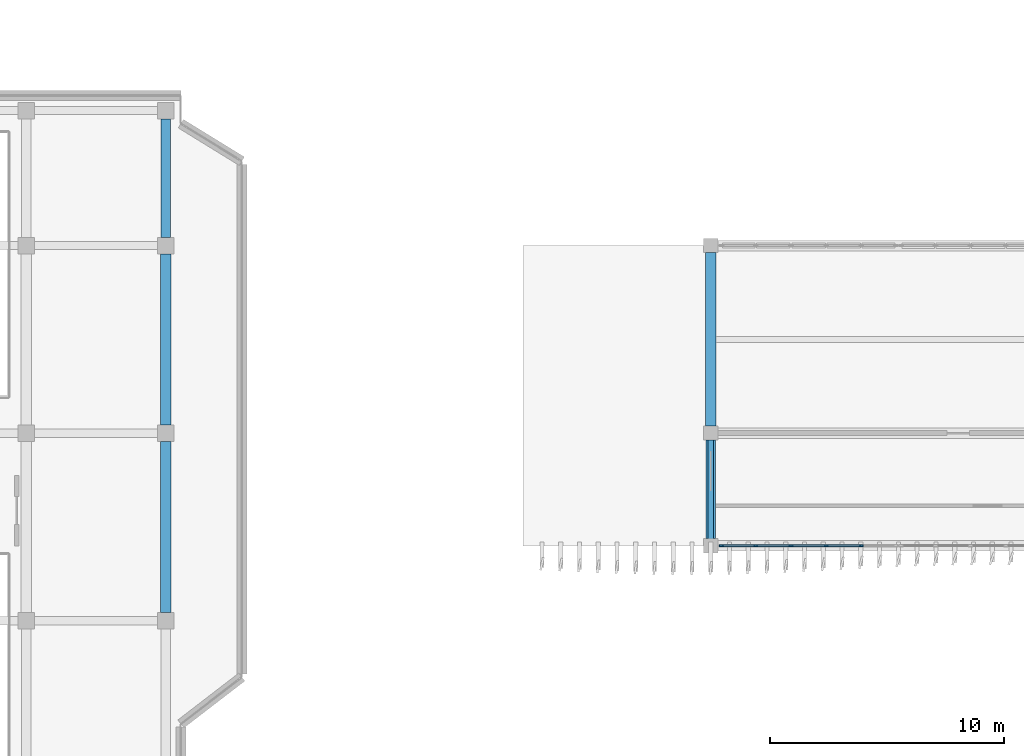
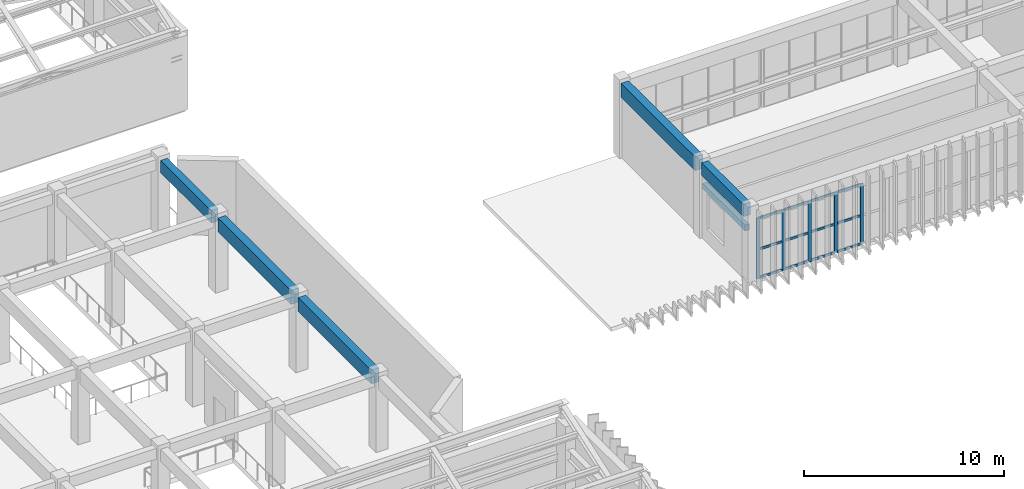
# One storey, part 21 of 76: 17 members, 6 beams, 1 element without a shape of its own.
"""IFC4 building model written with IfcOpenShell, lengths in metres."""

from ifc_helpers import new_model, si_unit, direction, frame, origin, origin_2d, place, context, subcontext, project, spatial, rectangle, extrude, material, layer, layer_set, material_profile, profile_set, type_object, element, aggregate, save


model = new_model("IFC4")

# Units and contexts
model_context = context("Model", 3, precision=1e-05, world=origin(), true_north=direction((0.0, 1.0)))
body_context = subcontext(model_context, "Body", "Model", "MODEL_VIEW")
ifc_project = project(units=[si_unit("LENGTHUNIT", "METRE"), si_unit("AREAUNIT", "SQUARE_METRE"), si_unit("VOLUMEUNIT", "CUBIC_METRE"), si_unit("PLANEANGLEUNIT", "RADIAN"), si_unit("MASSUNIT", "GRAM", prefix="KILO")], contexts=[model_context])

# Site, building, storey
site_placement = place(None, origin())
site = spatial("IfcSite", under=ifc_project, at=site_placement, CompositionType="ELEMENT")
building_placement = place(site_placement, origin())
building = spatial("IfcBuilding", under=site, at=building_placement, Name="Cinchona Park Media Centre", CompositionType="ELEMENT")
storey_placement = place(building_placement, frame((0.0, 0.0, 15.60009765625)))
storey = spatial("IfcBuildingStorey", under=building, at=storey_placement, Name="L03", CompositionType="ELEMENT", Elevation=15.60009765625)

# Beams
ifc_material_1 = material(Name="Concrete C35/45", Category="concrete")
ifc_material_profile_1 = material_profile(ifc_material_1, rectangle(XDim=0.39990234375, YDim=0.75, at=origin_2d()), Name="RB 400X750")
ifc_profile_set_1 = profile_set([ifc_material_profile_1], Name="Concrete C35/45")
beam_type_1 = type_object("IfcBeamType", Name="BEAM-B01-RB400X750", PredefinedType="BEAM", material=ifc_profile_set_1)
beam_1_placement = place(storey_placement, frame((39.56005859375, 87.949951171875, 4.1748046875), z_axis=(0.0, 1.0, 0.0), x_axis=(-1.0, 0.0, 0.0)))
element("IfcBeam", 1, at=beam_1_placement, inside=storey, type_object=beam_type_1, Name="Girder B01 L03", PredefinedType="BEAM", context=body_context, shape_type="SweptSolid", body=[
    extrude(rectangle(XDim=0.39990234375, YDim=0.75, at=origin_2d()), origin(), (0.0, 0.0, 1.0), 5.06005859375),
])
beam_2_placement = place(storey_placement, frame((62.800048828125, 75.10009765625, 4.204833984375), z_axis=(0.0, 1.0, 0.0), x_axis=(-1.0, 0.0, 0.0)))
element("IfcBeam", 2, at=beam_2_placement, inside=storey, type_object=beam_type_1, Name="Girder B01 L03", PredefinedType="BEAM", context=body_context, shape_type="SweptSolid", body=[
    extrude(rectangle(XDim=0.39990234375, YDim=0.75, at=origin_2d()), origin(), (0.0, 0.0, 1.0), 4.199951171875),
])
ifc_material_2 = material(Name="Concrete C35/45", Category="concrete")
ifc_material_profile_2 = material_profile(ifc_material_2, rectangle(XDim=0.449951171875, YDim=0.85009765625, at=origin_2d()), Name="RB 450X850")
ifc_profile_set_2 = profile_set([ifc_material_profile_2], Name="Concrete C35/45")
beam_type_2 = type_object("IfcBeamType", Name="BEAM-B02-RB450X850", PredefinedType="BEAM", material=ifc_profile_set_2)
for number, where, z_axis, x_axis, name in (
    (3, (39.56005859375, 71.949951171875, 4.125), (0.0, 1.0, 0.0), (-1.0, 0.0, 0.0), "Girder B02 L03"),
    (4, (39.56005859375, 79.949951171875, 4.125), (0.0, 1.0, 0.0), (-1.0, 0.0, 0.0), "Girder B02 L03"),
):
    element("IfcBeam", number, at=place(storey_placement, frame(where, z_axis=z_axis, x_axis=x_axis)), inside=storey, type_object=beam_type_2, Name=name, PredefinedType="BEAM", context=body_context, shape_type="SweptSolid", body=[
        extrude(rectangle(XDim=0.449951171875, YDim=0.85009765625, at=origin_2d()), origin(), (0.0, 0.0, 1.0), 7.300048828125),
    ])
beam_3_placement = place(storey_placement, frame((62.800048828125, 79.89990234375, 4.15478515625), z_axis=(0.0, 1.0, 0.0), x_axis=(-1.0, 0.0, 0.0)))
element("IfcBeam", 5, at=beam_3_placement, inside=storey, type_object=beam_type_2, Name="Girder B02 L03", PredefinedType="BEAM", context=body_context, shape_type="SweptSolid", body=[
    extrude(rectangle(XDim=0.449951171875, YDim=0.85009765625, at=origin_2d()), origin(), (0.0, 0.0, 1.0), 7.400146484375),
])
ifc_material_3 = material(Name="Concrete C35/45", Category="concrete")
ifc_material_profile_3 = material_profile(ifc_material_3, rectangle(XDim=0.25, YDim=0.35009765625, at=origin_2d()), Name="RL 250X350")
ifc_profile_set_3 = profile_set([ifc_material_profile_3], Name="Concrete C35/45")
beam_type_3 = type_object("IfcBeamType", Name="BEAM-LN01-RL250X350", PredefinedType="LINTEL", material=ifc_profile_set_3)
beam_4_placement = place(storey_placement, frame((62.800048828125, 75.080078125, 3.125), z_axis=(0.0, 1.0, 0.0), x_axis=(-1.0, 0.0, 0.0)))
element("IfcBeam", 6, at=beam_4_placement, inside=storey, type_object=beam_type_3, Name="Window Lintel LN01", PredefinedType="LINTEL", context=body_context, shape_type="SweptSolid", body=[
    extrude(rectangle(XDim=0.25, YDim=0.35009765625, at=origin_2d()), origin(), (0.0, 0.0, 1.0), 4.239990234375),
])

# Curtain wall, members
ifc_material_4 = material(Name="Aluminium Curtain Wall Framing", Category="aluminium")
ifc_layer = layer(ifc_material_4, 0.300048828125)
ifc_layer_set = layer_set([ifc_layer], Name="Aluminium Curtain Wall Framing")
curtain_wall_type = type_object("IfcCurtainWallType", Name="CW-CW09", PredefinedType="USERDEFINED", material=ifc_layer_set)
curtain_wall_placement = place(storey_placement, origin())
curtain_wall = element("IfcCurtainWall", 7, at=curtain_wall_placement, inside=storey, type_object=curtain_wall_type, Name="Curtain Wall CW09 L03", ObjectType="UNITISED CURTAIN WALL", PredefinedType="USERDEFINED")
ifc_material_5 = material(Name="Anodised Aluminium Alloy 6063-T6", Category="aluminium")
ifc_material_profile_4 = material_profile(ifc_material_5, rectangle(XDim=0.070068359375, YDim=0.179931640625, at=origin_2d()), Name="MUL-70X180")
ifc_profile_set_4 = profile_set([ifc_material_profile_4], Name="Anodised Aluminium Alloy 6063-T6")
member_type_1 = type_object("IfcMemberType", Name="MULLION-MUL02", PredefinedType="MULLION", material=ifc_profile_set_4)
member_1_placement = place(storey_placement, frame((69.219970703125, 74.800048828125, 0.0498046875), z_axis=(0.0, 0.0, 1.0), x_axis=(0.0, -1.0, 0.0)))
member_1 = element("IfcMember", 8, at=member_1_placement, type_object=member_type_1, Name="CW09 mullion 2", PredefinedType="MULLION", context=body_context, shape_type="SweptSolid", body=[
    extrude(rectangle(XDim=0.070068359375, YDim=0.179931640625, at=origin_2d()), origin(), (0.0, 0.0, 1.0), 3.68017578125),
])
member_2_placement = place(storey_placement, frame((67.719970703125, 74.800048828125, 0.0498046875), z_axis=(0.0, 0.0, 1.0), x_axis=(0.0, -1.0, 0.0)))
member_2 = element("IfcMember", 9, at=member_2_placement, type_object=member_type_1, Name="CW09 mullion 3", PredefinedType="MULLION", context=body_context, shape_type="SweptSolid", body=[
    extrude(rectangle(XDim=0.070068359375, YDim=0.179931640625, at=origin_2d()), origin(), (0.0, 0.0, 1.0), 3.68017578125),
])
member_3_placement = place(storey_placement, frame((66.219970703125, 74.800048828125, 0.0498046875), z_axis=(0.0, 0.0, 1.0), x_axis=(0.0, -1.0, 0.0)))
member_3 = element("IfcMember", 10, at=member_3_placement, type_object=member_type_1, Name="CW09 mullion 4", PredefinedType="MULLION", context=body_context, shape_type="SweptSolid", body=[
    extrude(rectangle(XDim=0.070068359375, YDim=0.179931640625, at=origin_2d()), origin(), (0.0, 0.0, 1.0), 3.68017578125),
])
member_4_placement = place(storey_placement, frame((64.719970703125, 74.800048828125, 0.0498046875), z_axis=(0.0, 0.0, 1.0), x_axis=(0.0, -1.0, 0.0)))
member_4 = element("IfcMember", 11, at=member_4_placement, type_object=member_type_1, Name="CW09 mullion 5", PredefinedType="MULLION", context=body_context, shape_type="SweptSolid", body=[
    extrude(rectangle(XDim=0.070068359375, YDim=0.179931640625, at=origin_2d()), origin(), (0.0, 0.0, 1.0), 3.68017578125),
])
member_5_placement = place(storey_placement, frame((63.2548828125, 74.800048828125, 0.0498046875), z_axis=(0.0, 0.0, 1.0), x_axis=(0.0, -1.0, 0.0)))
member_5 = element("IfcMember", 12, at=member_5_placement, type_object=member_type_1, Name="CW09 mullion 6", PredefinedType="MULLION", context=body_context, shape_type="SweptSolid", body=[
    extrude(rectangle(XDim=0.070068359375, YDim=0.179931640625, at=origin_2d()), origin(), (0.0, 0.0, 1.0), 3.68017578125),
])
ifc_material_6 = material(Name="Anodised Aluminium Alloy 6063-T6", Category="aluminium")
ifc_material_profile_5 = material_profile(ifc_material_6, rectangle(XDim=0.070068359375, YDim=0.139892578125, at=origin_2d()), Name="TRN-70X140")
ifc_profile_set_5 = profile_set([ifc_material_profile_5], Name="Anodised Aluminium Alloy 6063-T6")
member_type_2 = type_object("IfcMemberType", Name="TRANSOM-TRN02", PredefinedType="USERDEFINED", material=ifc_profile_set_5)
member_6_placement = place(storey_placement, frame((69.18505859375, 74.800048828125, 0.0849609375), z_axis=(-1.0, 0.0, 0.0), x_axis=(0.0, -1.0, 0.0)))
member_6 = element("IfcMember", 13, at=member_6_placement, type_object=member_type_2, Name="CW09 transom 2.1", ObjectType="TRANSOM", PredefinedType="USERDEFINED", context=body_context, shape_type="SweptSolid", body=[
    extrude(rectangle(XDim=0.070068359375, YDim=0.139892578125, at=origin_2d()), origin(), (0.0, 0.0, 1.0), 1.43017578125),
])
member_7_placement = place(storey_placement, frame((69.18505859375, 74.800048828125, 1.81591796875), z_axis=(-1.0, 0.0, 0.0), x_axis=(0.0, -1.0, 0.0)))
member_7 = element("IfcMember", 14, at=member_7_placement, type_object=member_type_2, Name="CW09 transom 2.2", ObjectType="TRANSOM", PredefinedType="USERDEFINED", context=body_context, shape_type="SweptSolid", body=[
    extrude(rectangle(XDim=0.070068359375, YDim=0.139892578125, at=origin_2d()), origin(), (0.0, 0.0, 1.0), 1.43017578125),
])
member_8_placement = place(storey_placement, frame((69.18505859375, 74.800048828125, 3.69482421875), z_axis=(-1.0, 0.0, 0.0), x_axis=(0.0, -1.0, 0.0)))
member_8 = element("IfcMember", 15, at=member_8_placement, type_object=member_type_2, Name="CW09 transom 2.3", ObjectType="TRANSOM", PredefinedType="USERDEFINED", context=body_context, shape_type="SweptSolid", body=[
    extrude(rectangle(XDim=0.070068359375, YDim=0.139892578125, at=origin_2d()), origin(), (0.0, 0.0, 1.0), 1.43017578125),
])
member_9_placement = place(storey_placement, frame((67.68505859375, 74.800048828125, 0.0849609375), z_axis=(-1.0, 0.0, 0.0), x_axis=(0.0, -1.0, 0.0)))
member_9 = element("IfcMember", 16, at=member_9_placement, type_object=member_type_2, Name="CW09 transom 3.1", ObjectType="TRANSOM", PredefinedType="USERDEFINED", context=body_context, shape_type="SweptSolid", body=[
    extrude(rectangle(XDim=0.070068359375, YDim=0.139892578125, at=origin_2d()), origin(), (0.0, 0.0, 1.0), 1.43017578125),
])
member_10_placement = place(storey_placement, frame((67.68505859375, 74.800048828125, 1.81591796875), z_axis=(-1.0, 0.0, 0.0), x_axis=(0.0, -1.0, 0.0)))
member_10 = element("IfcMember", 17, at=member_10_placement, type_object=member_type_2, Name="CW09 transom 3.2", ObjectType="TRANSOM", PredefinedType="USERDEFINED", context=body_context, shape_type="SweptSolid", body=[
    extrude(rectangle(XDim=0.070068359375, YDim=0.139892578125, at=origin_2d()), origin(), (0.0, 0.0, 1.0), 1.43017578125),
])
member_11_placement = place(storey_placement, frame((67.68505859375, 74.800048828125, 3.69482421875), z_axis=(-1.0, 0.0, 0.0), x_axis=(0.0, -1.0, 0.0)))
member_11 = element("IfcMember", 18, at=member_11_placement, type_object=member_type_2, Name="CW09 transom 3.3", ObjectType="TRANSOM", PredefinedType="USERDEFINED", context=body_context, shape_type="SweptSolid", body=[
    extrude(rectangle(XDim=0.070068359375, YDim=0.139892578125, at=origin_2d()), origin(), (0.0, 0.0, 1.0), 1.43017578125),
])
member_12_placement = place(storey_placement, frame((66.18505859375, 74.800048828125, 0.0849609375), z_axis=(-1.0, 0.0, 0.0), x_axis=(0.0, -1.0, 0.0)))
member_12 = element("IfcMember", 19, at=member_12_placement, type_object=member_type_2, Name="CW09 transom 4.1", ObjectType="TRANSOM", PredefinedType="USERDEFINED", context=body_context, shape_type="SweptSolid", body=[
    extrude(rectangle(XDim=0.070068359375, YDim=0.139892578125, at=origin_2d()), origin(), (0.0, 0.0, 1.0), 1.43017578125),
])
member_13_placement = place(storey_placement, frame((66.18505859375, 74.800048828125, 1.81591796875), z_axis=(-1.0, 0.0, 0.0), x_axis=(0.0, -1.0, 0.0)))
member_13 = element("IfcMember", 20, at=member_13_placement, type_object=member_type_2, Name="CW09 transom 4.2", ObjectType="TRANSOM", PredefinedType="USERDEFINED", context=body_context, shape_type="SweptSolid", body=[
    extrude(rectangle(XDim=0.070068359375, YDim=0.139892578125, at=origin_2d()), origin(), (0.0, 0.0, 1.0), 1.43017578125),
])
member_14_placement = place(storey_placement, frame((66.18505859375, 74.800048828125, 3.69482421875), z_axis=(-1.0, 0.0, 0.0), x_axis=(0.0, -1.0, 0.0)))
member_14 = element("IfcMember", 21, at=member_14_placement, type_object=member_type_2, Name="CW09 transom 4.3", ObjectType="TRANSOM", PredefinedType="USERDEFINED", context=body_context, shape_type="SweptSolid", body=[
    extrude(rectangle(XDim=0.070068359375, YDim=0.139892578125, at=origin_2d()), origin(), (0.0, 0.0, 1.0), 1.43017578125),
])
member_15_placement = place(storey_placement, frame((64.68505859375, 74.800048828125, 0.0849609375), z_axis=(-1.0, 0.0, 0.0), x_axis=(0.0, -1.0, 0.0)))
member_15 = element("IfcMember", 22, at=member_15_placement, type_object=member_type_2, Name="CW09 transom 5.1", ObjectType="TRANSOM", PredefinedType="USERDEFINED", context=body_context, shape_type="SweptSolid", body=[
    extrude(rectangle(XDim=0.070068359375, YDim=0.139892578125, at=origin_2d()), origin(), (0.0, 0.0, 1.0), 1.39501953125),
])
member_16_placement = place(storey_placement, frame((64.68505859375, 74.800048828125, 1.81591796875), z_axis=(-1.0, 0.0, 0.0), x_axis=(0.0, -1.0, 0.0)))
member_16 = element("IfcMember", 23, at=member_16_placement, type_object=member_type_2, Name="CW09 transom 5.2", ObjectType="TRANSOM", PredefinedType="USERDEFINED", context=body_context, shape_type="SweptSolid", body=[
    extrude(rectangle(XDim=0.070068359375, YDim=0.139892578125, at=origin_2d()), origin(), (0.0, 0.0, 1.0), 1.39501953125),
])
member_17_placement = place(storey_placement, frame((64.68505859375, 74.800048828125, 3.69482421875), z_axis=(-1.0, 0.0, 0.0), x_axis=(0.0, -1.0, 0.0)))
member_17 = element("IfcMember", 24, at=member_17_placement, type_object=member_type_2, Name="CW09 transom 5.3", ObjectType="TRANSOM", PredefinedType="USERDEFINED", context=body_context, shape_type="SweptSolid", body=[
    extrude(rectangle(XDim=0.070068359375, YDim=0.139892578125, at=origin_2d()), origin(), (0.0, 0.0, 1.0), 1.39501953125),
])
aggregate(curtain_wall, [member_1, member_2, member_3, member_4, member_5, member_6, member_7, member_8, member_9, member_10, member_11, member_12, member_13, member_14, member_15, member_16, member_17])

save(model, "model.ifc")
